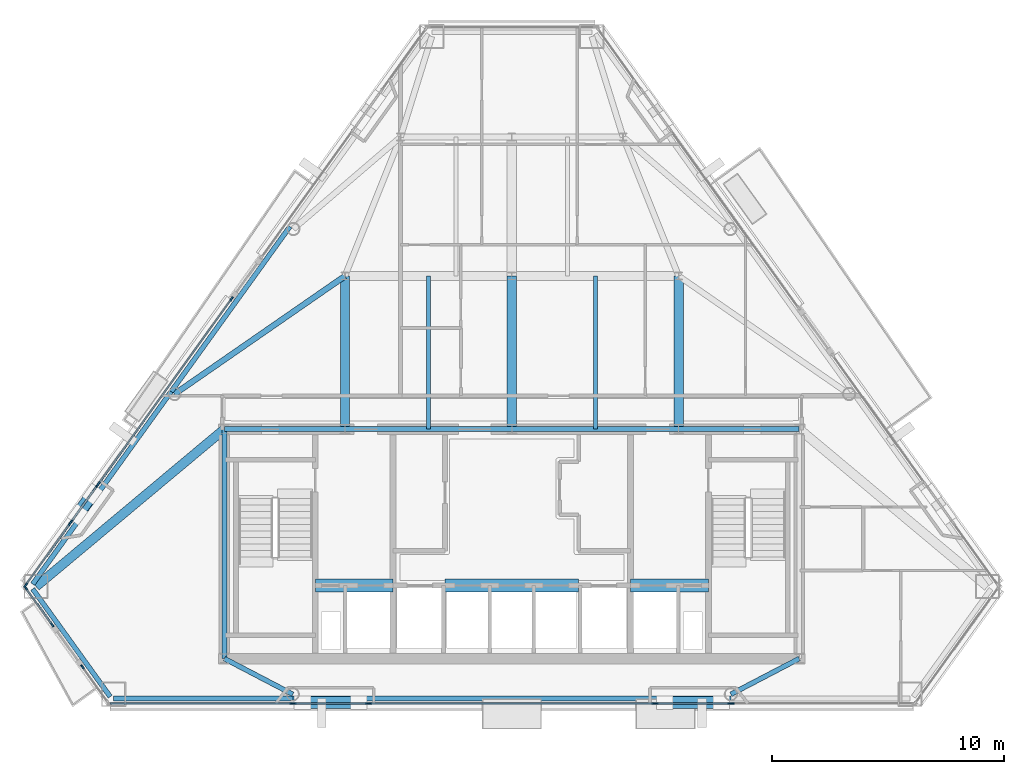
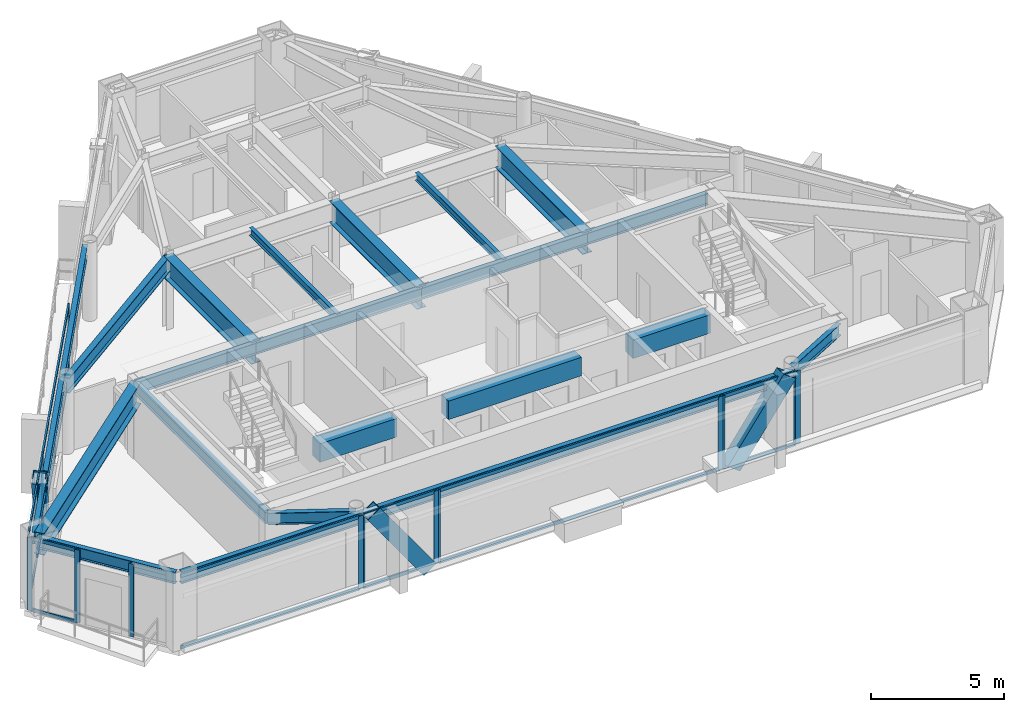
# One storey, part 3 of 11: 36 members, 22 beams, 10 elements without a shape of their own.
"""IFC4 building model written with IfcOpenShell, lengths in metres."""

import ifcopenshell
import ifcopenshell.guid

model = None  # the IFC model being written
_history = None  # IfcOwnerHistory: only IFC2X3 demands one
_inside = {}  # id of a spatial element -> (the spatial element, [elements in it])
_under = {}  # id of a project, library or spatial element -> (it, [spatial elements below it])
_declared = {}  # id of a project -> (the project, [libraries it declares])
_typed = {}  # id of a type object -> (the type object, [elements of that type])
_made_of = {}  # id of a material, layer set ... -> (it, [elements and type objects made of it])


def new_model(schema):
    """Start an empty IFC model of exactly this schema.

    Asked for "IFC4X3", IfcOpenShell would pick the latest addendum, in which some entities
    have other attributes; the version numbers below select the first issue.
    IFC2X3 requires an IfcOwnerHistory on every rooted entity: one is made here for all.
    """
    global model, _history
    if schema == "IFC4X3":
        model = ifcopenshell.file(schema_version=(4, 3, 0, 0))
    else:
        model = ifcopenshell.file(schema=schema)
    _inside.clear()
    _under.clear()
    _declared.clear()
    _typed.clear()
    _made_of.clear()
    _history = None
    if model.schema == "IFC2X3":
        org = make("IfcOrganization", Name="unknown")
        user = make(
            "IfcPersonAndOrganization",
            ThePerson=make("IfcPerson", FamilyName="unknown"),
            TheOrganization=org,
        )
        app = make(
            "IfcApplication",
            ApplicationDeveloper=org,
            Version="unknown",
            ApplicationFullName="unknown",
            ApplicationIdentifier="unknown",
        )
        _history = make(
            "IfcOwnerHistory",
            OwningUser=user,
            OwningApplication=app,
            ChangeAction="ADDED",
            CreationDate=0,
        )
    return model


def make(cls, **values):
    """One entity of the class cls with the attributes given. An attribute that is None is left unset."""
    return model.create_entity(
        cls, **{name: value for name, value in values.items() if value is not None}
    )


def rooted(cls, **values):
    """An entity with a GlobalId (a new one), such as an element, a storey or a relation."""
    return make(cls, GlobalId=ifcopenshell.guid.new(), OwnerHistory=_history, **values)


def si_unit(unit_type, name, prefix=None):
    """IfcSIUnit, for example si_unit("LENGTHUNIT", "METRE", prefix="MILLI")."""
    return make("IfcSIUnit", UnitType=unit_type, Prefix=prefix, Name=name)


def assignment(units):
    """IfcUnitAssignment: the units of a project."""
    return None if units is None else make("IfcUnitAssignment", Units=units)


def point(xyz):
    """IfcCartesianPoint."""
    return None if xyz is None else make("IfcCartesianPoint", Coordinates=xyz)


def direction(xyz):
    """IfcDirection."""
    return None if xyz is None else make("IfcDirection", DirectionRatios=xyz)


def frame(location, z_axis=None, x_axis=None):
    """IfcAxis2Placement3D, a coordinate frame: its origin and axes. An axis left out is left unset."""
    return make(
        "IfcAxis2Placement3D",
        Location=point(location),
        Axis=direction(z_axis),
        RefDirection=direction(x_axis),
    )


def frame_2d(location, x_axis=None):
    """IfcAxis2Placement2D, a coordinate frame in the plane: its origin and x axis."""
    return make(
        "IfcAxis2Placement2D", Location=point(location), RefDirection=direction(x_axis)
    )


def origin():
    """The frame at (0, 0, 0) with its axes left unset."""
    return frame((0.0, 0.0, 0.0))


def origin_2d():
    """The frame at (0, 0) in the plane with its x axis left unset."""
    return frame_2d((0.0, 0.0))


def place(relative_to, where):
    """IfcLocalPlacement: puts the frame where relative to a parent placement (None: the world)."""
    return make(
        "IfcLocalPlacement", PlacementRelTo=relative_to, RelativePlacement=where
    )


def context(
    kind, dimensions, precision=None, world=None, true_north=None, identifier=None
):
    """IfcGeometricRepresentationContext, for example the 3D "Model" context."""
    return make(
        "IfcGeometricRepresentationContext",
        ContextIdentifier=identifier,
        ContextType=kind,
        CoordinateSpaceDimension=dimensions,
        Precision=precision,
        WorldCoordinateSystem=world,
        TrueNorth=true_north,
    )


def subcontext(parent, identifier, kind, view, scale=None):
    """IfcGeometricRepresentationSubContext, for example "Body" below "Model"."""
    return make(
        "IfcGeometricRepresentationSubContext",
        ContextIdentifier=identifier,
        ContextType=kind,
        ParentContext=parent,
        TargetScale=scale,
        TargetView=view,
    )


def project(units=None, contexts=None):
    """IfcProject with its units and contexts."""
    return rooted(
        "IfcProject",
        Name="project",
        RepresentationContexts=contexts,
        UnitsInContext=assignment(units),
    )


def spatial(cls, under=None, at=None, **own):
    """A site, building, storey or space (cls), placed at a placement, below another one or the project."""
    s = rooted(cls, ObjectPlacement=at, **own)
    if under is not None:
        _under.setdefault(under.id(), (under, []))[1].append(s)
    return s


def profile(cls, at=None, kind="AREA", **sizes):
    """A parametric profile (cls). Its sizes go by their IFC names, for example OverallWidth=200.0."""
    return make(cls, ProfileType=kind, Position=at, **sizes)


def rectangle(**sizes):
    """IfcRectangleProfileDef."""
    return profile("IfcRectangleProfileDef", **sizes)


def hollow_rectangle(**sizes):
    """IfcRectangleHollowProfileDef."""
    return profile("IfcRectangleHollowProfileDef", **sizes)


def i_section(**sizes):
    """IfcIShapeProfileDef."""
    return profile("IfcIShapeProfileDef", **sizes)


def extrude(swept, where, along, depth):
    """IfcExtrudedAreaSolid: the profile swept, set in the frame where, extruded along a direction by depth."""
    return make(
        "IfcExtrudedAreaSolid",
        SweptArea=swept,
        Position=where,
        ExtrudedDirection=direction(along),
        Depth=depth,
    )


def shape(context_of_items, identifier, shape_type, items):
    """IfcShapeRepresentation: the items that make up one representation, for example the "Body"."""
    return make(
        "IfcShapeRepresentation",
        ContextOfItems=context_of_items,
        RepresentationIdentifier=identifier,
        RepresentationType=shape_type,
        Items=items,
    )


def material(Name=None, Category=None):
    """IfcMaterial."""
    return make("IfcMaterial", Name=Name, Category=Category)


def layer(
    of_material, thickness, ventilated=None, Name=None, Category=None, Priority=None
):
    """IfcMaterialLayer: one layer of a wall or slab, of a material (None: an air gap)."""
    return make(
        "IfcMaterialLayer",
        Material=of_material,
        LayerThickness=thickness,
        IsVentilated=ventilated,
        Name=Name,
        Category=Category,
        Priority=Priority,
    )


def layer_set(layers, Name=None):
    """IfcMaterialLayerSet."""
    return make("IfcMaterialLayerSet", MaterialLayers=layers, LayerSetName=Name)


def material_profile(
    of_material, cross_section, Name=None, Category=None, Priority=None
):
    """IfcMaterialProfile: a cross section and its material."""
    return make(
        "IfcMaterialProfile",
        Name=Name,
        Material=of_material,
        Profile=cross_section,
        Priority=Priority,
        Category=Category,
    )


def profile_set(profiles, Name=None, composite=None):
    """IfcMaterialProfileSet."""
    return make(
        "IfcMaterialProfileSet",
        Name=Name,
        MaterialProfiles=profiles,
        CompositeProfile=composite,
    )


def made_of(thing, what):
    """Note that an element or type object is made of a material, layer set ...; save() writes the relation."""
    if what is not None:
        _made_of.setdefault(what.id(), (what, []))[1].append(thing)
    return thing


def type_object(cls, material=None, **own):
    """A type object (cls), such as IfcWallType, which elements share."""
    return made_of(rooted(cls, **own), material)


def element(
    cls,
    number,
    at=None,
    inside=None,
    cuts=None,
    type_object=None,
    material=None,
    context=None,
    identifier="Body",
    shape_type=None,
    held_by="IfcProductDefinitionShape",
    body=None,
    shapes=None,
    **own,
):
    """One element of the class cls, such as IfcWall. Its Tag is "e" and its number.

    at: its placement. inside: the storey or other place that contains it. cuts: it is an
    opening in that element (IfcRelVoidsElement). A single representation is given by context,
    identifier, shape_type and body (its items); several are given by shapes. held_by: the class
    of the entity that holds the representations. save() writes the other relations.
    """
    e = rooted(cls, Tag="e%d" % number, ObjectPlacement=at, **own)
    if body is not None:
        shapes = [shape(context, identifier, shape_type, body)]
    if shapes is not None:
        e.Representation = make(held_by, Representations=shapes)
    if inside is not None:
        _inside.setdefault(inside.id(), (inside, []))[1].append(e)
    if cuts is not None:
        rooted(
            "IfcRelVoidsElement", RelatingBuildingElement=cuts, RelatedOpeningElement=e
        )
    if type_object is not None:
        _typed.setdefault(type_object.id(), (type_object, []))[1].append(e)
    return made_of(e, material)


def aggregate(whole, parts):
    """IfcRelAggregates: a whole, such as a stair, and the parts it consists of."""
    return rooted("IfcRelAggregates", RelatingObject=whole, RelatedObjects=parts)


def save(model, path):
    """Write the relations noted so far, then the file.

    IfcRelAggregates (storeys below a building ...), IfcRelContainedInSpatialStructure (elements
    in a storey), IfcRelDefinesByType, IfcRelAssociatesMaterial and IfcRelDeclares: one each for
    every whole, place, type object, material and project.
    """
    for whole, parts in _under.values():
        aggregate(whole, parts)
    for where, things in _inside.values():
        rooted(
            "IfcRelContainedInSpatialStructure",
            RelatedElements=things,
            RelatingStructure=where,
        )
    for kind, things in _typed.values():
        rooted("IfcRelDefinesByType", RelatedObjects=things, RelatingType=kind)
    for what, things in _made_of.values():
        rooted("IfcRelAssociatesMaterial", RelatedObjects=things, RelatingMaterial=what)
    for by, libraries in _declared.values():
        rooted("IfcRelDeclares", RelatingContext=by, RelatedDefinitions=libraries)
    model.write(path)


model = new_model("IFC4")

# Units and contexts
model_context = context("Model", 3, precision=1e-05, world=origin(), true_north=direction((0.0, 1.0)))
body_context = subcontext(model_context, "Body", "Model", "MODEL_VIEW")
ifc_project = project(units=[si_unit("LENGTHUNIT", "METRE"), si_unit("AREAUNIT", "SQUARE_METRE"), si_unit("VOLUMEUNIT", "CUBIC_METRE"), si_unit("PLANEANGLEUNIT", "RADIAN"), si_unit("MASSUNIT", "GRAM", prefix="KILO")], contexts=[model_context])

# Site, building, storey
site_placement = place(None, origin())
site = spatial("IfcSite", under=ifc_project, at=site_placement, CompositionType="ELEMENT")
building_placement = place(site_placement, origin())
building = spatial("IfcBuilding", under=site, at=building_placement, Name="Talgorran Terracotta Tower", CompositionType="ELEMENT")
storey_placement = place(building_placement, frame((0.0, 0.0, 196.5)))
storey = spatial("IfcBuildingStorey", under=building, at=storey_placement, Name="L51", CompositionType="ELEMENT", Elevation=196.5)

# Beams
ifc_material_1 = material(Name="Steel Grade 350 (350L0)", Category="steel")
ifc_material_profile_1 = material_profile(ifc_material_1, i_section(OverallWidth=0.39990234375, OverallDepth=1.0, WebThickness=0.01611328125, FlangeThickness=0.031005859375, at=origin_2d()), Name="1000WB296")
ifc_profile_set_1 = profile_set([ifc_material_profile_1], Name="Steel Grade 350 (350L0)")
beam_type_1 = type_object("IfcBeamType", Name="BM_1000WB296", PredefinedType="BEAM", material=ifc_profile_set_1)
for number, where, z_axis, x_axis, name in (
    (1, (-7.199951171875, -4.199951171875, 2.85009765625), (0.0, 1.0, 0.0), (-1.0, 0.0, 0.0), "L51 Floor Girder G01"),
    (2, (0.0, -4.199951171875, 2.85009765625), (0.0, 1.0, 0.0), (-1.0, 0.0, 0.0), "L51 Floor Girder G02"),
    (3, (7.199951171875, -4.199951171875, 2.85009765625), (0.0, 1.0, 0.0), (-1.0, 0.0, 0.0), "L51 Floor Girder G03"),
):
    element("IfcBeam", number, at=place(storey_placement, frame(where, z_axis=z_axis, x_axis=x_axis)), inside=storey, type_object=beam_type_1, Name=name, PredefinedType="BEAM", context=body_context, shape_type="SweptSolid", body=[
        extrude(i_section(OverallWidth=0.39990234375, OverallDepth=1.0, WebThickness=0.01611328125, FlangeThickness=0.031005859375, at=origin_2d()), origin(), (0.0, 0.0, 1.0), 6.599853515625),
    ])
beam_1_placement = place(storey_placement, frame((-12.39990234375, -4.199951171875, 2.85009765625), z_axis=(-0.767197947413, -0.641410406436, 0.0), x_axis=(0.641410406436, -0.767197947413, 0.0)))
element("IfcBeam", 4, at=beam_1_placement, inside=storey, type_object=beam_type_1, Name="L51 Floor Girder G17", PredefinedType="BEAM", context=body_context, shape_type="SweptSolid", body=[
    extrude(i_section(OverallWidth=0.39990234375, OverallDepth=1.0, WebThickness=0.01611328125, FlangeThickness=0.031005859375, at=origin_2d()), origin(), (0.0, 0.0, 1.0), 10.589599609375),
])
ifc_material_2 = material(Name="Steel S355 (300PLUS)", Category="steel")
ifc_material_profile_2 = material_profile(ifc_material_2, i_section(OverallWidth=0.25, OverallDepth=0.699951171875, WebThickness=0.011962890625, FlangeThickness=0.02392578125, at=origin_2d()), Name="700WB150")
ifc_profile_set_2 = profile_set([ifc_material_profile_2], Name="Steel S355 (300PLUS)")
beam_type_2 = type_object("IfcBeamType", Name="BM_700WB150", PredefinedType="BEAM", material=ifc_profile_set_2)
beam_2_placement = place(storey_placement, frame((-7.199951171875, 2.39990234375, 3.0), z_axis=(-0.822270856927, -0.569096334419, 0.0), x_axis=(0.569096334419, -0.822270856927, 0.0)))
element("IfcBeam", 5, at=beam_2_placement, inside=storey, type_object=beam_type_2, Name="L51 Floor Girder G06", PredefinedType="BEAM", context=body_context, shape_type="SweptSolid", body=[
    extrude(i_section(OverallWidth=0.25, OverallDepth=0.699951171875, WebThickness=0.011962890625, FlangeThickness=0.02392578125, at=origin_2d()), origin(), (0.0, 0.0, 1.0), 8.937255859375),
])
ifc_material_3 = material(Name="Concrete C50/60", Category="concrete")
ifc_material_profile_3 = material_profile(ifc_material_3, rectangle(XDim=0.550048828125, YDim=0.85009765625, at=origin_2d()), Name="RCCB550X850")
ifc_profile_set_3 = profile_set([ifc_material_profile_3], Name="Concrete C50/60")
beam_type_3 = type_object("IfcBeamType", Name="BM_CB_550X850", PredefinedType="LINTEL", material=ifc_profile_set_3)
beam_3_placement = place(storey_placement, frame((-8.47998046875, -10.949951171875, 2.925048828125), z_axis=(1.0, 0.0, 0.0), x_axis=(0.0, 1.0, 0.0)))
element("IfcBeam", 6, at=beam_3_placement, inside=storey, type_object=beam_type_3, Name="L51 Core Shear-Wall Coupling Beam CB1", PredefinedType="LINTEL", context=body_context, shape_type="SweptSolid", body=[
    extrude(rectangle(XDim=0.550048828125, YDim=0.85009765625, at=origin_2d()), origin(), (0.0, 0.0, 1.0), 3.35986328125),
])
beam_4_placement = place(storey_placement, frame((-2.8798828125, -10.949951171875, 2.925048828125), z_axis=(1.0, 0.0, 0.0), x_axis=(0.0, 1.0, 0.0)))
element("IfcBeam", 7, at=beam_4_placement, inside=storey, type_object=beam_type_3, Name="L51 Core Shear-Wall Coupling Beam CB2", PredefinedType="LINTEL", context=body_context, shape_type="SweptSolid", body=[
    extrude(rectangle(XDim=0.550048828125, YDim=0.85009765625, at=origin_2d()), origin(), (0.0, 0.0, 1.0), 5.759765625),
])
beam_5_placement = place(storey_placement, frame((5.1201171875, -10.949951171875, 2.925048828125), z_axis=(1.0, 0.0, 0.0), x_axis=(0.0, 1.0, 0.0)))
element("IfcBeam", 8, at=beam_5_placement, inside=storey, type_object=beam_type_3, Name="L51 Core Shear-Wall Coupling Beam CB3", PredefinedType="LINTEL", context=body_context, shape_type="SweptSolid", body=[
    extrude(rectangle(XDim=0.550048828125, YDim=0.85009765625, at=origin_2d()), origin(), (0.0, 0.0, 1.0), 3.35986328125),
])
ifc_material_profile_4 = material_profile(ifc_material_2, i_section(OverallWidth=0.17138671875, OverallDepth=0.355712890625, WebThickness=0.00732421875, FlangeThickness=0.011474609375, at=origin_2d()), Name="360UB50.7")
ifc_profile_set_4 = profile_set([ifc_material_profile_4], Name="Steel S355 (300PLUS)")
beam_type_4 = type_object("IfcBeamType", Name="BM_JS_360UB51", PredefinedType="JOIST", material=ifc_profile_set_4)
for number, where, z_axis, x_axis, name in (
    (9, (-3.60009765625, -4.199951171875, 3.172119140625), (0.0, 1.0, 0.0), (-1.0, 0.0, 0.0), "L51 Secondary Joist J01"),
    (10, (3.60009765625, -4.199951171875, 3.172119140625), (0.0, 1.0, 0.0), (-1.0, 0.0, 0.0), "L51 Secondary Joist J02"),
):
    element("IfcBeam", number, at=place(storey_placement, frame(where, z_axis=z_axis, x_axis=x_axis)), inside=storey, type_object=beam_type_4, Name=name, PredefinedType="JOIST", context=body_context, shape_type="SweptSolid", body=[
        extrude(i_section(OverallWidth=0.17138671875, OverallDepth=0.355712890625, WebThickness=0.00732421875, FlangeThickness=0.011474609375, at=origin_2d()), origin(), (0.0, 0.0, 1.0), 6.599853515625),
    ])
ifc_material_profile_5 = material_profile(ifc_material_2, i_section(OverallWidth=0.209228515625, OverallDepth=0.532958984375, WebThickness=0.01025390625, FlangeThickness=0.015625, at=origin_2d()), Name="530UB92.4")
ifc_profile_set_5 = profile_set([ifc_material_profile_5], Name="Steel S355 (300PLUS)")
beam_type_5 = type_object("IfcBeamType", Name="BM_SP_530UB92", PredefinedType="SPANDREL", material=ifc_profile_set_5)
beam_6_placement = place(storey_placement, frame((-20.670166015625, -11.09716796875, 3.08349609375), z_axis=(0.583989111458, -0.811761490648, 0.0), x_axis=(0.811761490648, 0.583989111458, 0.0)))
element("IfcBeam", 11, at=beam_6_placement, inside=storey, type_object=beam_type_5, Name="L51 Perimeter Spandrel Beam MC1-MC2", PredefinedType="SPANDREL", context=body_context, shape_type="SweptSolid", body=[
    extrude(i_section(OverallWidth=0.209228515625, OverallDepth=0.532958984375, WebThickness=0.01025390625, FlangeThickness=0.015625, at=origin_2d()), origin(), (0.0, 0.0, 1.0), 5.72705078125),
])
beam_7_placement = place(storey_placement, frame((-17.1796875, -15.821044921875, 3.08349609375), z_axis=(1.0, 0.0, 0.0), x_axis=(0.0, 1.0, 0.0)))
element("IfcBeam", 12, at=beam_7_placement, inside=storey, type_object=beam_type_5, Name="L51 Perimeter Spandrel Beam MC2-FC1", PredefinedType="SPANDREL", context=body_context, shape_type="SweptSolid", body=[
    extrude(i_section(OverallWidth=0.209228515625, OverallDepth=0.532958984375, WebThickness=0.01025390625, FlangeThickness=0.015625, at=origin_2d()), origin(), (0.0, 0.0, 1.0), 7.73095703125),
])
beam_8_placement = place(storey_placement, frame((-9.44873046875, -15.821044921875, 3.08349609375), z_axis=(1.0, 0.0, 0.0), x_axis=(0.0, 1.0, 0.0)))
element("IfcBeam", 13, at=beam_8_placement, inside=storey, type_object=beam_type_5, Name="L51 Perimeter Spandrel Beam FC1-FC2", PredefinedType="SPANDREL", context=body_context, shape_type="SweptSolid", body=[
    extrude(i_section(OverallWidth=0.209228515625, OverallDepth=0.532958984375, WebThickness=0.01025390625, FlangeThickness=0.015625, at=origin_2d()), origin(), (0.0, 0.0, 1.0), 18.8974609375),
])
beam_9_placement = place(storey_placement, frame((-9.573486328125, 4.5380859375, 3.08349609375), z_axis=(-0.583976142064, -0.811770820799, 0.0), x_axis=(0.811770820799, -0.583976142064, 0.0)))
element("IfcBeam", 14, at=beam_9_placement, inside=storey, type_object=beam_type_5, Name="L51 Perimeter Spandrel Beam FC5-FC6", PredefinedType="SPANDREL", context=body_context, shape_type="SweptSolid", body=[
    extrude(i_section(OverallWidth=0.209228515625, OverallDepth=0.532958984375, WebThickness=0.01025390625, FlangeThickness=0.015625, at=origin_2d()), origin(), (0.0, 0.0, 1.0), 8.770263671875),
])
beam_10_placement = place(storey_placement, frame((-14.695068359375, -2.581298828125, 3.08349609375), z_axis=(-0.583984097587, -0.811765097651, 0.0), x_axis=(0.811765097651, -0.583984097587, 0.0)))
element("IfcBeam", 15, at=beam_10_placement, inside=storey, type_object=beam_type_5, Name="L51 Perimeter Spandrel Beam FC6-MC1", PredefinedType="SPANDREL", context=body_context, shape_type="SweptSolid", body=[
    extrude(i_section(OverallWidth=0.209228515625, OverallDepth=0.532958984375, WebThickness=0.01025390625, FlangeThickness=0.015625, at=origin_2d()), origin(), (0.0, 0.0, 1.0), 10.231689453125),
])
for number, where, z_axis, x_axis, name in (
    (16, (-9.44873046875, -15.64111328125, 3.08349609375), (-0.886427890303, 0.462866714394, 0.0), (-0.462866714394, -0.886427890303, 0.0), "L51 South-West Core Tie Beam"),
    (17, (12.39990234375, -14.10009765625, 3.08349609375), (-0.886427890303, -0.462866714394, 0.0), (0.462866714394, -0.886427890303, 0.0), "L51 South-East Core Tie Beam"),
):
    element("IfcBeam", number, at=place(storey_placement, frame(where, z_axis=z_axis, x_axis=x_axis)), inside=storey, type_object=beam_type_5, Name=name, PredefinedType="SPANDREL", context=body_context, shape_type="SweptSolid", body=[
        extrude(i_section(OverallWidth=0.209228515625, OverallDepth=0.532958984375, WebThickness=0.01025390625, FlangeThickness=0.015625, at=origin_2d()), origin(), (0.0, 0.0, 1.0), 3.329345703125),
    ])
beam_11_placement = place(storey_placement, frame((-12.39990234375, -14.10009765625, 3.08349609375), z_axis=(0.0, 1.0, 0.0), x_axis=(-1.0, 0.0, 0.0)))
element("IfcBeam", 18, at=beam_11_placement, inside=storey, type_object=beam_type_5, Name="L51 Core Frame Beam CFW", PredefinedType="SPANDREL", context=body_context, shape_type="SweptSolid", body=[
    extrude(i_section(OverallWidth=0.209228515625, OverallDepth=0.532958984375, WebThickness=0.01025390625, FlangeThickness=0.015625, at=origin_2d()), origin(), (0.0, 0.0, 1.0), 9.900146484375),
])
beam_12_placement = place(storey_placement, frame((-12.39990234375, -4.199951171875, 3.08349609375), z_axis=(1.0, 0.0, 0.0), x_axis=(0.0, 1.0, 0.0)))
element("IfcBeam", 19, at=beam_12_placement, inside=storey, type_object=beam_type_5, Name="L51 Core Frame Beam CFN1", PredefinedType="SPANDREL", context=body_context, shape_type="SweptSolid", body=[
    extrude(i_section(OverallWidth=0.209228515625, OverallDepth=0.532958984375, WebThickness=0.01025390625, FlangeThickness=0.015625, at=origin_2d()), origin(), (0.0, 0.0, 1.0), 5.199951171875),
])
for number, where, z_axis, x_axis, name in (
    (20, (-7.199951171875, -4.199951171875, 3.08349609375), (1.0, 0.0, 0.0), (0.0, 1.0, 0.0), "L51 Core Frame Beam CFN2"),
    (21, (0.0, -4.199951171875, 3.08349609375), (1.0, 0.0, 0.0), (0.0, 1.0, 0.0), "L51 Core Frame Beam CFN3"),
):
    element("IfcBeam", number, at=place(storey_placement, frame(where, z_axis=z_axis, x_axis=x_axis)), inside=storey, type_object=beam_type_5, Name=name, PredefinedType="SPANDREL", context=body_context, shape_type="SweptSolid", body=[
        extrude(i_section(OverallWidth=0.209228515625, OverallDepth=0.532958984375, WebThickness=0.01025390625, FlangeThickness=0.015625, at=origin_2d()), origin(), (0.0, 0.0, 1.0), 7.199951171875),
    ])
beam_13_placement = place(storey_placement, frame((7.199951171875, -4.199951171875, 3.08349609375), z_axis=(1.0, 0.0, 0.0), x_axis=(0.0, 1.0, 0.0)))
element("IfcBeam", 22, at=beam_13_placement, inside=storey, type_object=beam_type_5, Name="L51 Core Frame Beam CFN4", PredefinedType="SPANDREL", context=body_context, shape_type="SweptSolid", body=[
    extrude(i_section(OverallWidth=0.209228515625, OverallDepth=0.532958984375, WebThickness=0.01025390625, FlangeThickness=0.015625, at=origin_2d()), origin(), (0.0, 0.0, 1.0), 5.199951171875),
])

# Members
ifc_material_profile_6 = material_profile(ifc_material_1, hollow_rectangle(XDim=0.52001953125, YDim=0.659912109375, WallThickness=0.034912109375, at=origin_2d()), Name="WBOX660X520X35")
ifc_profile_set_6 = profile_set([ifc_material_profile_6], Name="Steel Grade 350 (350L0)")
member_type_1 = type_object("IfcMemberType", Name="MB_MEGA_660", PredefinedType="BRACE", material=ifc_profile_set_6)
for number, where, z_axis, x_axis, name in (
    (23, (-6.598388671875, -16.001220703125, -0.02490234375), (-0.581619393906, 0.0, 0.81346105047), (0.0, -1.0, 0.0), "L51 Exterior Face Mega-Brace MB-3 (SWF)"),
    (24, (6.598388671875, -16.001220703125, -0.02490234375), (0.581619393906, 0.0, 0.81346105047), (0.0, 1.0, 0.0), "L51 Exterior Face Mega-Brace MB-3 (SEF)"),
):
    element("IfcMember", number, at=place(storey_placement, frame(where, z_axis=z_axis, x_axis=x_axis)), inside=storey, type_object=member_type_1, Name=name, PredefinedType="BRACE", context=body_context, shape_type="SweptSolid", body=[
        extrude(hollow_rectangle(XDim=0.52001953125, YDim=0.659912109375, WallThickness=0.034912109375, at=origin_2d()), origin(), (0.0, 0.0, 1.0), 4.179443359375),
    ])
member_1_placement = place(storey_placement, frame((-18.0908203125, -6.992919921875, -0.02490234375), z_axis=(-0.179439890978, -0.249548546021, 0.951591744765), x_axis=(0.811896824414, -0.583800947675, 0.0)))
element("IfcMember", 25, at=member_1_placement, inside=storey, type_object=member_type_1, Name="L51 Exterior Face Mega-Brace MB-3 (NWL)", PredefinedType="BRACE", context=body_context, shape_type="SweptSolid", body=[
    extrude(hollow_rectangle(XDim=0.52001953125, YDim=0.659912109375, WallThickness=0.034912109375, at=origin_2d()), origin(), (0.0, 0.0, 1.0), 3.57275390625),
])

# Curtain wall, members
ifc_material_4 = material(Name="High-Wind Unitised Glazing", Category="glass")
ifc_layer = layer(ifc_material_4, 0.2099609375, Name="CW_SYS3_RES_HIGH")
ifc_layer_set = layer_set([ifc_layer], Name="High-Wind Unitised Glazing")
curtain_wall_type = type_object("IfcCurtainWallType", Name="CW_SYS3_RES_HIGH", PredefinedType="NOTDEFINED", material=ifc_layer_set)
curtain_wall_1_placement = place(storey_placement, origin())
curtain_wall_1 = element("IfcCurtainWall", 26, at=curtain_wall_1_placement, inside=storey, type_object=curtain_wall_type, Name="CW-L51-F10", PredefinedType="NOTDEFINED")
ifc_material_5 = material(Name="Architectural Aluminium 6063-T6", Category="aluminium")
ifc_material_profile_7 = material_profile(ifc_material_5, rectangle(XDim=0.070068359375, YDim=0.199951171875, at=origin_2d()), Name="CWM70X200")
ifc_profile_set_7 = profile_set([ifc_material_profile_7], Name="Architectural Aluminium 6063-T6")
member_type_2 = type_object("IfcMemberType", Name="MUL_70X200", PredefinedType="MULLION", material=ifc_profile_set_7)
member_2_placement = place(storey_placement, frame((-20.97314453125, -11.052978515625, 0.0), z_axis=(0.0, 0.0, 1.0), x_axis=(0.811781936944, 0.583960689475, 0.0)))
member_2 = element("IfcMember", 27, at=member_2_placement, type_object=member_type_2, Name="CW-L51-10 mullion 1", PredefinedType="MULLION", context=body_context, shape_type="SweptSolid", body=[
    extrude(rectangle(XDim=0.070068359375, YDim=0.199951171875, at=origin_2d()), origin(), (0.0, 0.0, 1.0), 3.35009765625),
])
member_3_placement = place(storey_placement, frame((-19.82421875, -12.64990234375, 0.0), z_axis=(0.0, 0.0, 1.0), x_axis=(0.811781936944, 0.583960689475, 0.0)))
member_3 = element("IfcMember", 28, at=member_3_placement, type_object=member_type_2, Name="CW-L51-10 mullion 2", PredefinedType="MULLION", context=body_context, shape_type="SweptSolid", body=[
    extrude(rectangle(XDim=0.070068359375, YDim=0.199951171875, at=origin_2d()), origin(), (0.0, 0.0, 1.0), 3.35009765625),
])

# Curtain wall, member
curtain_wall_2_placement = place(storey_placement, origin())
curtain_wall_2 = element("IfcCurtainWall", 29, at=curtain_wall_2_placement, inside=storey, type_object=curtain_wall_type, Name="CW-L51-F11", PredefinedType="NOTDEFINED")
member_4_placement = place(storey_placement, frame((-18.52197265625, -14.460205078125, 0.0), z_axis=(0.0, 0.0, 1.0), x_axis=(0.811770568062, 0.583976493387, 0.0)))
member_4 = element("IfcMember", 30, at=member_4_placement, type_object=member_type_2, Name="CW-L51-11 mullion 1", PredefinedType="MULLION", context=body_context, shape_type="SweptSolid", body=[
    extrude(rectangle(XDim=0.070068359375, YDim=0.199951171875, at=origin_2d()), origin(), (0.0, 0.0, 1.0), 3.35009765625),
])
aggregate(curtain_wall_2, [member_4])

curtain_wall_3_placement = place(storey_placement, origin())
curtain_wall_3 = element("IfcCurtainWall", 31, at=curtain_wall_3_placement, inside=storey, type_object=curtain_wall_type, Name="CW-L51-F1", PredefinedType="NOTDEFINED")
member_5_placement = place(storey_placement, frame((-9.48779296875, -16.041015625, 0.0), z_axis=(0.0, 0.0, 1.0), x_axis=(0.0, 1.0, 0.0)))
member_5 = element("IfcMember", 32, at=member_5_placement, type_object=member_type_2, Name="CW-L51-1 mullion 2", PredefinedType="MULLION", context=body_context, shape_type="SweptSolid", body=[
    extrude(rectangle(XDim=0.070068359375, YDim=0.199951171875, at=origin_2d()), origin(), (0.0, 0.0, 1.0), 3.35009765625),
])

# Curtain wall, members
curtain_wall_4_placement = place(storey_placement, origin())
curtain_wall_4 = element("IfcCurtainWall", 33, at=curtain_wall_4_placement, inside=storey, type_object=curtain_wall_type, Name="CW-L51-F1B", PredefinedType="NOTDEFINED")
member_6_placement = place(storey_placement, frame((-9.40771484375, -16.041015625, 0.0), z_axis=(0.0, 0.0, 1.0), x_axis=(0.0, 1.0, 0.0)))
member_6 = element("IfcMember", 34, at=member_6_placement, type_object=member_type_2, Name="CW-L51-1B mullion 1", PredefinedType="MULLION", context=body_context, shape_type="SweptSolid", body=[
    extrude(rectangle(XDim=0.070068359375, YDim=0.199951171875, at=origin_2d()), origin(), (0.0, 0.0, 1.0), 3.35009765625),
])
member_7_placement = place(storey_placement, frame((-6.219970703125, -16.041015625, 0.0), z_axis=(0.0, 0.0, 1.0), x_axis=(0.0, 1.0, 0.0)))
member_7 = element("IfcMember", 35, at=member_7_placement, type_object=member_type_2, Name="CW-L51-1B mullion 2", PredefinedType="MULLION", context=body_context, shape_type="SweptSolid", body=[
    extrude(rectangle(XDim=0.070068359375, YDim=0.199951171875, at=origin_2d()), origin(), (0.0, 0.0, 1.0), 3.35009765625),
])

curtain_wall_5_placement = place(storey_placement, origin())
curtain_wall_5 = element("IfcCurtainWall", 36, at=curtain_wall_5_placement, inside=storey, type_object=curtain_wall_type, Name="CW-L51-F1C", PredefinedType="NOTDEFINED")
member_8_placement = place(storey_placement, frame((-6.139892578125, -16.041015625, 0.0), z_axis=(0.0, 0.0, 1.0), x_axis=(0.0, 1.0, 0.0)))
member_8 = element("IfcMember", 37, at=member_8_placement, type_object=member_type_2, Name="CW-L51-1C mullion 1", PredefinedType="MULLION", context=body_context, shape_type="SweptSolid", body=[
    extrude(rectangle(XDim=0.070068359375, YDim=0.199951171875, at=origin_2d()), origin(), (0.0, 0.0, 1.0), 3.35009765625),
])
member_9_placement = place(storey_placement, frame((6.139892578125, -16.041015625, 0.0), z_axis=(0.0, 0.0, 1.0), x_axis=(0.0, 1.0, 0.0)))
member_9 = element("IfcMember", 38, at=member_9_placement, type_object=member_type_2, Name="CW-L51-1C mullion 2", PredefinedType="MULLION", context=body_context, shape_type="SweptSolid", body=[
    extrude(rectangle(XDim=0.070068359375, YDim=0.199951171875, at=origin_2d()), origin(), (0.0, 0.0, 1.0), 3.35009765625),
])

curtain_wall_6_placement = place(storey_placement, origin())
curtain_wall_6 = element("IfcCurtainWall", 39, at=curtain_wall_6_placement, inside=storey, type_object=curtain_wall_type, Name="CW-L51-F1D", PredefinedType="NOTDEFINED")
member_10_placement = place(storey_placement, frame((6.219970703125, -16.041015625, 0.0), z_axis=(0.0, 0.0, 1.0), x_axis=(0.0, 1.0, 0.0)))
member_10 = element("IfcMember", 40, at=member_10_placement, type_object=member_type_2, Name="CW-L51-1D mullion 1", PredefinedType="MULLION", context=body_context, shape_type="SweptSolid", body=[
    extrude(rectangle(XDim=0.070068359375, YDim=0.199951171875, at=origin_2d()), origin(), (0.0, 0.0, 1.0), 3.35009765625),
])
member_11_placement = place(storey_placement, frame((9.40771484375, -16.041015625, 0.0), z_axis=(0.0, 0.0, 1.0), x_axis=(0.0, 1.0, 0.0)))
member_11 = element("IfcMember", 41, at=member_11_placement, type_object=member_type_2, Name="CW-L51-1D mullion 2", PredefinedType="MULLION", context=body_context, shape_type="SweptSolid", body=[
    extrude(rectangle(XDim=0.070068359375, YDim=0.199951171875, at=origin_2d()), origin(), (0.0, 0.0, 1.0), 3.35009765625),
])

# Curtain wall, member
curtain_wall_7_placement = place(storey_placement, origin())
curtain_wall_7 = element("IfcCurtainWall", 42, at=curtain_wall_7_placement, inside=storey, type_object=curtain_wall_type, Name="CW-L51-F1E", PredefinedType="NOTDEFINED")
member_12_placement = place(storey_placement, frame((9.48779296875, -16.041015625, 0.0), z_axis=(0.0, 0.0, 1.0), x_axis=(0.0, 1.0, 0.0)))
member_12 = element("IfcMember", 43, at=member_12_placement, type_object=member_type_2, Name="CW-L51-1E mullion 1", PredefinedType="MULLION", context=body_context, shape_type="SweptSolid", body=[
    extrude(rectangle(XDim=0.070068359375, YDim=0.199951171875, at=origin_2d()), origin(), (0.0, 0.0, 1.0), 3.35009765625),
])
aggregate(curtain_wall_7, [member_12])

# Curtain wall, members
curtain_wall_8_placement = place(storey_placement, origin())
curtain_wall_8 = element("IfcCurtainWall", 44, at=curtain_wall_8_placement, inside=storey, type_object=curtain_wall_type, Name="CW-L51-F61", PredefinedType="NOTDEFINED")
member_13_placement = place(storey_placement, frame((-12.089111328125, 1.41796875, 0.0), z_axis=(0.0, 0.0, 1.0), x_axis=(0.811768430596, -0.583979464611, 0.0)))
member_13 = element("IfcMember", 45, at=member_13_placement, type_object=member_type_2, Name="CW-L51-61 mullion 1", PredefinedType="MULLION", context=body_context, shape_type="SweptSolid", body=[
    extrude(rectangle(XDim=0.070068359375, YDim=0.199951171875, at=origin_2d()), origin(), (0.0, 0.0, 1.0), 3.35009765625),
])
member_14_placement = place(storey_placement, frame((-17.828857421875, -6.560546875, 0.0), z_axis=(0.0, 0.0, 1.0), x_axis=(0.811768430596, -0.583979464611, 0.0)))
member_14 = element("IfcMember", 46, at=member_14_placement, type_object=member_type_2, Name="CW-L51-61 mullion 2", PredefinedType="MULLION", context=body_context, shape_type="SweptSolid", body=[
    extrude(rectangle(XDim=0.070068359375, YDim=0.199951171875, at=origin_2d()), origin(), (0.0, 0.0, 1.0), 3.35009765625),
])

curtain_wall_9_placement = place(storey_placement, origin())
curtain_wall_9 = element("IfcCurtainWall", 47, at=curtain_wall_9_placement, inside=storey, type_object=curtain_wall_type, Name="CW-L51-F61B", PredefinedType="NOTDEFINED")
member_15_placement = place(storey_placement, frame((-17.87548828125, -6.62548828125, 0.0), z_axis=(0.0, 0.0, 1.0), x_axis=(0.8117751038, -0.583970188323, 0.0)))
member_15 = element("IfcMember", 48, at=member_15_placement, type_object=member_type_2, Name="CW-L51-61B mullion 1", PredefinedType="MULLION", context=body_context, shape_type="SweptSolid", body=[
    extrude(rectangle(XDim=0.070068359375, YDim=0.199951171875, at=origin_2d()), origin(), (0.0, 0.0, 1.0), 3.35009765625),
])
member_16_placement = place(storey_placement, frame((-19.011962890625, -8.205322265625, 0.0), z_axis=(0.0, 0.0, 1.0), x_axis=(0.8117751038, -0.583970188323, 0.0)))
member_16 = element("IfcMember", 49, at=member_16_placement, type_object=member_type_2, Name="CW-L51-61B mullion 2", PredefinedType="MULLION", context=body_context, shape_type="SweptSolid", body=[
    extrude(rectangle(XDim=0.070068359375, YDim=0.199951171875, at=origin_2d()), origin(), (0.0, 0.0, 1.0), 3.35009765625),
])

curtain_wall_10_placement = place(storey_placement, origin())
curtain_wall_10 = element("IfcCurtainWall", 50, at=curtain_wall_10_placement, inside=storey, type_object=curtain_wall_type, Name="CW-L51-F61C", PredefinedType="NOTDEFINED")
member_17_placement = place(storey_placement, frame((-19.058837890625, -8.270263671875, 0.0), z_axis=(0.0, 0.0, 1.0), x_axis=(0.811763154791, -0.583986798244, 0.0)))
member_17 = element("IfcMember", 51, at=member_17_placement, type_object=member_type_2, Name="CW-L51-61C mullion 1", PredefinedType="MULLION", context=body_context, shape_type="SweptSolid", body=[
    extrude(rectangle(XDim=0.070068359375, YDim=0.199951171875, at=origin_2d()), origin(), (0.0, 0.0, 1.0), 3.35009765625),
])
member_18_placement = place(storey_placement, frame((-20.97314453125, -10.93115234375, 0.0), z_axis=(0.0, 0.0, 1.0), x_axis=(0.811763154791, -0.583986798244, 0.0)))
member_18 = element("IfcMember", 52, at=member_18_placement, type_object=member_type_2, Name="CW-L51-61C mullion 2", PredefinedType="MULLION", context=body_context, shape_type="SweptSolid", body=[
    extrude(rectangle(XDim=0.070068359375, YDim=0.199951171875, at=origin_2d()), origin(), (0.0, 0.0, 1.0), 3.35009765625),
])

# Member
ifc_material_profile_8 = material_profile(ifc_material_5, rectangle(XDim=0.070068359375, YDim=0.159912109375, at=origin_2d()), Name="CWT70X160")
ifc_profile_set_8 = profile_set([ifc_material_profile_8], Name="Architectural Aluminium 6063-T6")
member_type_3 = type_object("IfcMemberType", Name="TRN_70X160", PredefinedType="USERDEFINED", material=ifc_profile_set_8)
member_19_placement = place(storey_placement, frame((-20.95263671875, -11.08154296875, 0.034912109375), z_axis=(0.583986011955, -0.811763720452, 0.0), x_axis=(0.811763720452, 0.583986011955, 0.0)))
member_19 = element("IfcMember", 53, at=member_19_placement, type_object=member_type_3, Name="CW-L51-10 transom 1.1", ObjectType="TRANSOM", PredefinedType="USERDEFINED", context=body_context, shape_type="SweptSolid", body=[
    extrude(rectangle(XDim=0.070068359375, YDim=0.159912109375, at=origin_2d()), origin(), (0.0, 0.0, 1.0), 1.897216796875),
])

member_20_placement = place(storey_placement, frame((-20.95263671875, -11.08154296875, 3.31494140625), z_axis=(0.583986011955, -0.811763720452, 0.0), x_axis=(0.811763720452, 0.583986011955, 0.0)))
member_20 = element("IfcMember", 54, at=member_20_placement, type_object=member_type_3, Name="CW-L51-10 transom 1.2", ObjectType="TRANSOM", PredefinedType="USERDEFINED", context=body_context, shape_type="SweptSolid", body=[
    extrude(rectangle(XDim=0.070068359375, YDim=0.159912109375, at=origin_2d()), origin(), (0.0, 0.0, 1.0), 1.897216796875),
])

aggregate(curtain_wall_1, [member_2, member_3, member_19, member_20])

member_21_placement = place(storey_placement, frame((-17.314697265625, -16.041015625, 0.034912109375), z_axis=(1.0, 0.0, 0.0), x_axis=(0.0, 1.0, 0.0)))
member_21 = element("IfcMember", 55, at=member_21_placement, type_object=member_type_3, Name="CW-L51-1 transom 1.1", ObjectType="TRANSOM", PredefinedType="USERDEFINED", context=body_context, shape_type="SweptSolid", body=[
    extrude(rectangle(XDim=0.070068359375, YDim=0.159912109375, at=origin_2d()), origin(), (0.0, 0.0, 1.0), 7.7919921875),
])

member_22_placement = place(storey_placement, frame((-17.314697265625, -16.041015625, 3.31494140625), z_axis=(1.0, 0.0, 0.0), x_axis=(0.0, 1.0, 0.0)))
member_22 = element("IfcMember", 56, at=member_22_placement, type_object=member_type_3, Name="CW-L51-1 transom 1.2", ObjectType="TRANSOM", PredefinedType="USERDEFINED", context=body_context, shape_type="SweptSolid", body=[
    extrude(rectangle(XDim=0.070068359375, YDim=0.159912109375, at=origin_2d()), origin(), (0.0, 0.0, 1.0), 7.7919921875),
])

aggregate(curtain_wall_3, [member_5, member_21, member_22])

member_23_placement = place(storey_placement, frame((-9.372802734375, -16.041015625, 0.034912109375), z_axis=(1.0, 0.0, 0.0), x_axis=(0.0, 1.0, 0.0)))
member_23 = element("IfcMember", 57, at=member_23_placement, type_object=member_type_3, Name="CW-L51-1B transom 1.1", ObjectType="TRANSOM", PredefinedType="USERDEFINED", context=body_context, shape_type="SweptSolid", body=[
    extrude(rectangle(XDim=0.070068359375, YDim=0.159912109375, at=origin_2d()), origin(), (0.0, 0.0, 1.0), 3.117919921875),
])

member_24_placement = place(storey_placement, frame((-9.372802734375, -16.041015625, 3.31494140625), z_axis=(1.0, 0.0, 0.0), x_axis=(0.0, 1.0, 0.0)))
member_24 = element("IfcMember", 58, at=member_24_placement, type_object=member_type_3, Name="CW-L51-1B transom 1.2", ObjectType="TRANSOM", PredefinedType="USERDEFINED", context=body_context, shape_type="SweptSolid", body=[
    extrude(rectangle(XDim=0.070068359375, YDim=0.159912109375, at=origin_2d()), origin(), (0.0, 0.0, 1.0), 3.117919921875),
])

aggregate(curtain_wall_4, [member_6, member_7, member_23, member_24])

member_25_placement = place(storey_placement, frame((-6.10498046875, -16.041015625, 0.034912109375), z_axis=(1.0, 0.0, 0.0), x_axis=(0.0, 1.0, 0.0)))
member_25 = element("IfcMember", 59, at=member_25_placement, type_object=member_type_3, Name="CW-L51-1C transom 1.1", ObjectType="TRANSOM", PredefinedType="USERDEFINED", context=body_context, shape_type="SweptSolid", body=[
    extrude(rectangle(XDim=0.070068359375, YDim=0.159912109375, at=origin_2d()), origin(), (0.0, 0.0, 1.0), 12.2099609375),
])

member_26_placement = place(storey_placement, frame((-6.10498046875, -16.041015625, 3.31494140625), z_axis=(1.0, 0.0, 0.0), x_axis=(0.0, 1.0, 0.0)))
member_26 = element("IfcMember", 60, at=member_26_placement, type_object=member_type_3, Name="CW-L51-1C transom 1.2", ObjectType="TRANSOM", PredefinedType="USERDEFINED", context=body_context, shape_type="SweptSolid", body=[
    extrude(rectangle(XDim=0.070068359375, YDim=0.159912109375, at=origin_2d()), origin(), (0.0, 0.0, 1.0), 12.2099609375),
])

aggregate(curtain_wall_5, [member_8, member_9, member_25, member_26])

member_27_placement = place(storey_placement, frame((6.2548828125, -16.041015625, 0.034912109375), z_axis=(1.0, 0.0, 0.0), x_axis=(0.0, 1.0, 0.0)))
member_27 = element("IfcMember", 61, at=member_27_placement, type_object=member_type_3, Name="CW-L51-1D transom 1.1", ObjectType="TRANSOM", PredefinedType="USERDEFINED", context=body_context, shape_type="SweptSolid", body=[
    extrude(rectangle(XDim=0.070068359375, YDim=0.159912109375, at=origin_2d()), origin(), (0.0, 0.0, 1.0), 3.117919921875),
])

member_28_placement = place(storey_placement, frame((6.2548828125, -16.041015625, 3.31494140625), z_axis=(1.0, 0.0, 0.0), x_axis=(0.0, 1.0, 0.0)))
member_28 = element("IfcMember", 62, at=member_28_placement, type_object=member_type_3, Name="CW-L51-1D transom 1.2", ObjectType="TRANSOM", PredefinedType="USERDEFINED", context=body_context, shape_type="SweptSolid", body=[
    extrude(rectangle(XDim=0.070068359375, YDim=0.159912109375, at=origin_2d()), origin(), (0.0, 0.0, 1.0), 3.117919921875),
])

aggregate(curtain_wall_6, [member_10, member_11, member_27, member_28])

member_29_placement = place(storey_placement, frame((-12.109375, 1.3896484375, 0.034912109375), z_axis=(-0.5839942653, -0.811757782899, 0.0), x_axis=(0.811757782899, -0.5839942653, 0.0)))
member_29 = element("IfcMember", 63, at=member_29_placement, type_object=member_type_3, Name="CW-L51-61 transom 1.1", ObjectType="TRANSOM", PredefinedType="USERDEFINED", context=body_context, shape_type="SweptSolid", body=[
    extrude(rectangle(XDim=0.070068359375, YDim=0.159912109375, at=origin_2d()), origin(), (0.0, 0.0, 1.0), 9.758544921875),
])

member_30_placement = place(storey_placement, frame((-12.109375, 1.3896484375, 3.31494140625), z_axis=(-0.5839942653, -0.811757782899, 0.0), x_axis=(0.811757782899, -0.5839942653, 0.0)))
member_30 = element("IfcMember", 64, at=member_30_placement, type_object=member_type_3, Name="CW-L51-61 transom 1.2", ObjectType="TRANSOM", PredefinedType="USERDEFINED", context=body_context, shape_type="SweptSolid", body=[
    extrude(rectangle(XDim=0.070068359375, YDim=0.159912109375, at=origin_2d()), origin(), (0.0, 0.0, 1.0), 9.758544921875),
])

aggregate(curtain_wall_8, [member_13, member_14, member_29, member_30])

member_31_placement = place(storey_placement, frame((-17.89599609375, -6.65380859375, 0.034912109375), z_axis=(-0.584016733465, -0.811741618394, 0.0), x_axis=(0.811741618394, -0.584016733465, 0.0)))
member_31 = element("IfcMember", 65, at=member_31_placement, type_object=member_type_3, Name="CW-L51-61B transom 1.1", ObjectType="TRANSOM", PredefinedType="USERDEFINED", context=body_context, shape_type="SweptSolid", body=[
    extrude(rectangle(XDim=0.070068359375, YDim=0.159912109375, at=origin_2d()), origin(), (0.0, 0.0, 1.0), 1.876220703125),
])

member_32_placement = place(storey_placement, frame((-17.89599609375, -6.65380859375, 3.31494140625), z_axis=(-0.584016733465, -0.811741618394, 0.0), x_axis=(0.811741618394, -0.584016733465, 0.0)))
member_32 = element("IfcMember", 66, at=member_32_placement, type_object=member_type_3, Name="CW-L51-61B transom 1.2", ObjectType="TRANSOM", PredefinedType="USERDEFINED", context=body_context, shape_type="SweptSolid", body=[
    extrude(rectangle(XDim=0.070068359375, YDim=0.159912109375, at=origin_2d()), origin(), (0.0, 0.0, 1.0), 1.876220703125),
])

aggregate(curtain_wall_9, [member_15, member_16, member_31, member_32])

member_33_placement = place(storey_placement, frame((-19.0791015625, -8.298583984375, 0.034912109375), z_axis=(-0.583991942441, -0.811759454003, 0.0), x_axis=(0.811759454003, -0.583991942441, 0.0)))
member_33 = element("IfcMember", 67, at=member_33_placement, type_object=member_type_3, Name="CW-L51-61C transom 1.1", ObjectType="TRANSOM", PredefinedType="USERDEFINED", context=body_context, shape_type="SweptSolid", body=[
    extrude(rectangle(XDim=0.070068359375, YDim=0.159912109375, at=origin_2d()), origin(), (0.0, 0.0, 1.0), 3.208251953125),
])

member_34_placement = place(storey_placement, frame((-19.0791015625, -8.298583984375, 3.31494140625), z_axis=(-0.583991942441, -0.811759454003, 0.0), x_axis=(0.811759454003, -0.583991942441, 0.0)))
member_34 = element("IfcMember", 68, at=member_34_placement, type_object=member_type_3, Name="CW-L51-61C transom 1.2", ObjectType="TRANSOM", PredefinedType="USERDEFINED", context=body_context, shape_type="SweptSolid", body=[
    extrude(rectangle(XDim=0.070068359375, YDim=0.159912109375, at=origin_2d()), origin(), (0.0, 0.0, 1.0), 3.208251953125),
])

aggregate(curtain_wall_10, [member_17, member_18, member_33, member_34])

save(model, "model.ifc")
